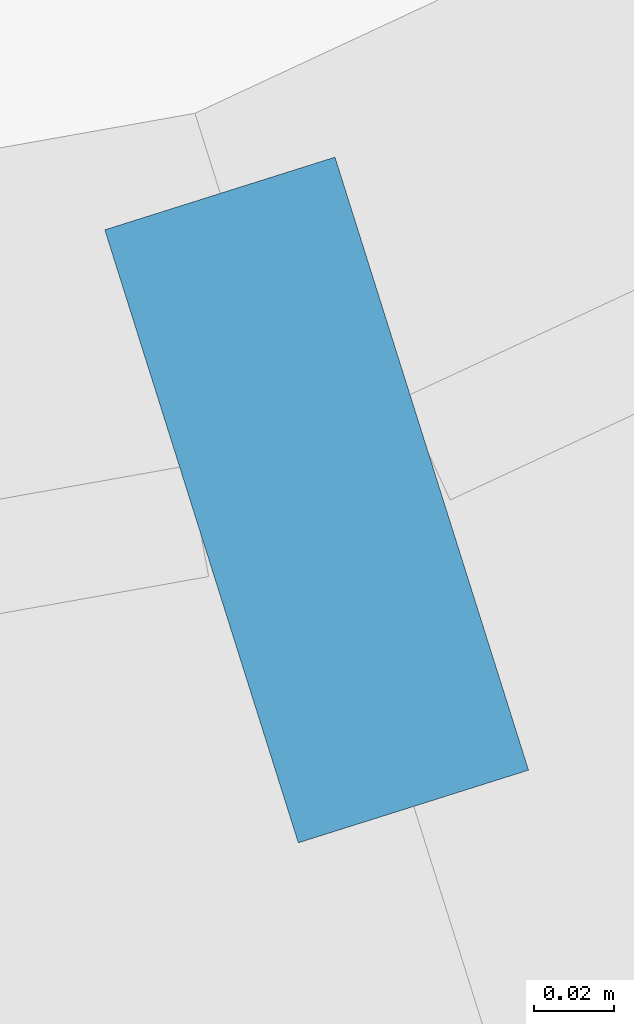
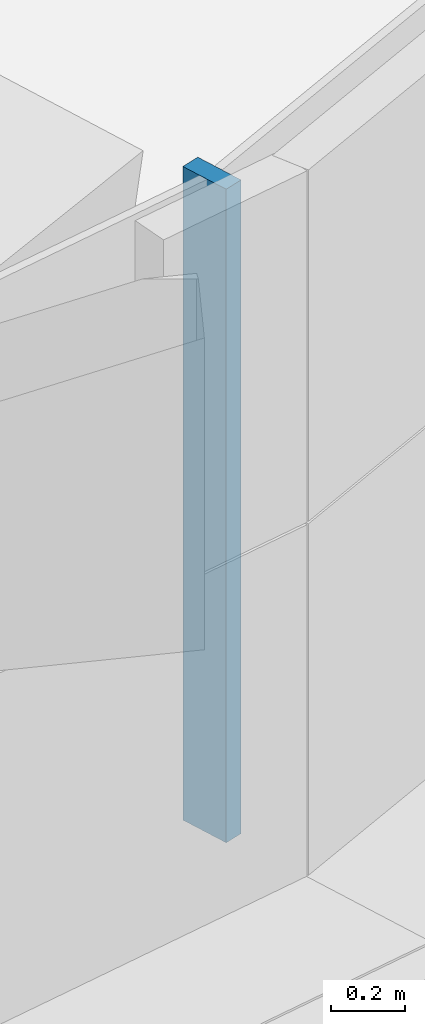
# One storey, part 2 of 36: 1 member, 1 element without a shape of its own.
"""IFC4 building model written with IfcOpenShell, lengths in metres."""

from ifc_helpers import new_model, si_unit, direction, frame, origin, origin_2d, place, context, subcontext, project, spatial, rectangle, extrude, material, layer, layer_set, material_profile, profile_set, type_object, element, aggregate, save


model = new_model("IFC4")

# Units and contexts
model_context = context("Model", 3, precision=1e-05, world=origin(), true_north=direction((0.0, 1.0)))
body_context = subcontext(model_context, "Body", "Model", "MODEL_VIEW")
ifc_project = project(units=[si_unit("LENGTHUNIT", "METRE"), si_unit("AREAUNIT", "SQUARE_METRE"), si_unit("VOLUMEUNIT", "CUBIC_METRE"), si_unit("PLANEANGLEUNIT", "RADIAN"), si_unit("MASSUNIT", "GRAM", prefix="KILO")], contexts=[model_context])

# Site, building, storey
site_placement = place(None, origin())
site = spatial("IfcSite", under=ifc_project, at=site_placement, CompositionType="ELEMENT")
building_placement = place(site_placement, origin())
building = spatial("IfcBuilding", under=site, at=building_placement, Name="Tamarind Cross Interchange Tower", CompositionType="ELEMENT")
storey_placement = place(building_placement, frame((0.0, 0.0, 124.75)))
storey = spatial("IfcBuildingStorey", under=building, at=storey_placement, Name="L30", CompositionType="ELEMENT", Elevation=124.75)

# Curtain wall, member
ifc_material = material(Name="Aluminium 6063-T6", Category="aluminium")
ifc_layer = layer(ifc_material, 0.159912109375)
ifc_layer_set = layer_set([ifc_layer], Name="Aluminium 6063-T6")
curtain_wall_type = type_object("IfcCurtainWallType", Name="Office curtain wall, 9.0 m bays", PredefinedType="NOTDEFINED", material=ifc_layer_set)
curtain_wall_placement = place(storey_placement, origin())
curtain_wall = element("IfcCurtainWall", 1, at=curtain_wall_placement, inside=storey, type_object=curtain_wall_type, Name="CWS-L30-01", PredefinedType="NOTDEFINED")
ifc_material_profile = material_profile(ifc_material, rectangle(XDim=0.06005859375, YDim=0.159912109375, at=origin_2d()), Name="Mullion CW1")
ifc_profile_set = profile_set([ifc_material_profile], Name="Aluminium 6063-T6")
member_type = type_object("IfcMemberType", Name="Mullion CW1", PredefinedType="MULLION", material=ifc_profile_set)
member_placement = place(storey_placement, frame((-42.040283203125, -16.884521484375, 1.39990234375), z_axis=(0.0, 0.0, 1.0), x_axis=(0.953593300698, 0.301097686581, 0.0)))
member = element("IfcMember", 2, at=member_placement, type_object=member_type, Name="CWM-L30-01-00", PredefinedType="MULLION", context=body_context, shape_type="SweptSolid", body=[
    extrude(rectangle(XDim=0.06005859375, YDim=0.159912109375, at=origin_2d()), origin(), (0.0, 0.0, 1.0), 2.170166015625),
])
aggregate(curtain_wall, [member])

save(model, "model.ifc")
